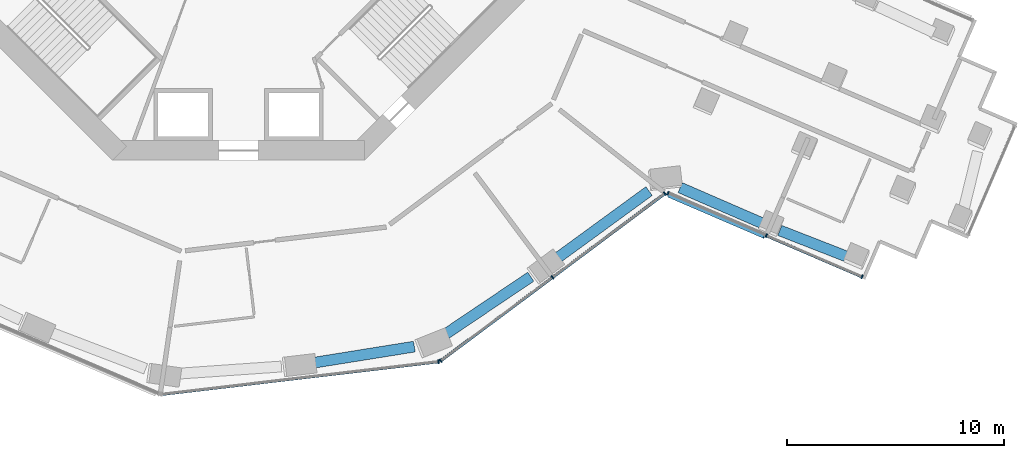
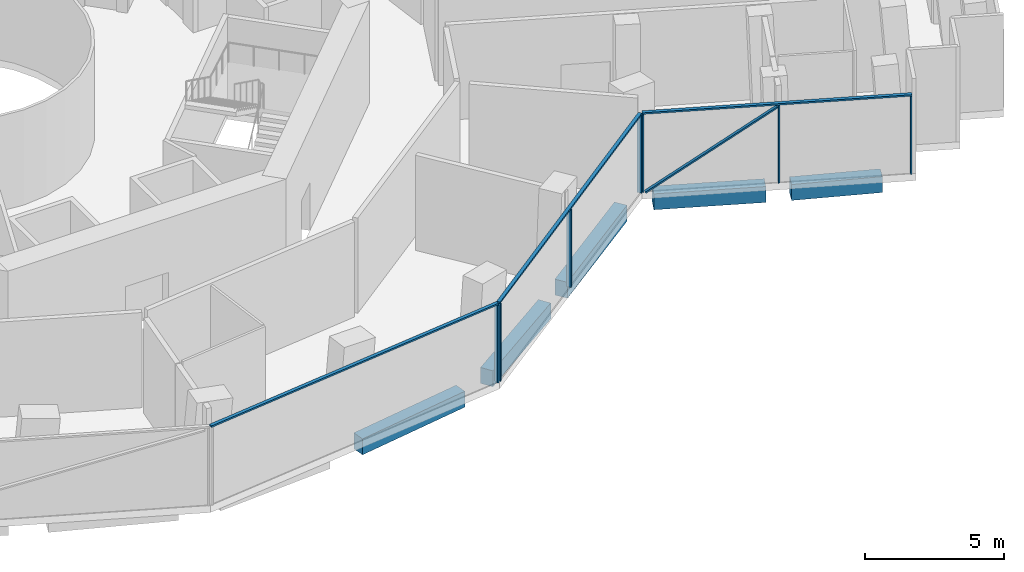
# One storey, part 4 of 17: 11 members, 5 beams, 3 elements without a shape of their own.
"""IFC4 building model written with IfcOpenShell, lengths in metres."""

from ifc_helpers import new_model, si_unit, direction, frame, origin, origin_2d, place, context, subcontext, project, spatial, rectangle, extrude, material, layer, layer_set, material_profile, profile_set, type_object, element, aggregate, save


model = new_model("IFC4")

# Units and contexts
model_context = context("Model", 3, precision=1e-05, world=origin(), true_north=direction((0.0, 1.0)))
body_context = subcontext(model_context, "Body", "Model", "MODEL_VIEW")
ifc_project = project(units=[si_unit("LENGTHUNIT", "METRE"), si_unit("AREAUNIT", "SQUARE_METRE"), si_unit("VOLUMEUNIT", "CUBIC_METRE"), si_unit("PLANEANGLEUNIT", "RADIAN"), si_unit("MASSUNIT", "GRAM", prefix="KILO")], contexts=[model_context])

# Site, building, storey
site_placement = place(None, origin())
site = spatial("IfcSite", under=ifc_project, at=site_placement, CompositionType="ELEMENT")
building_placement = place(site_placement, origin())
building = spatial("IfcBuilding", under=site, at=building_placement, Name="Verdalira Terraces Hotel", CompositionType="ELEMENT")
storey_placement = place(building_placement, frame((0.0, 0.0, 60.0)))
storey = spatial("IfcBuildingStorey", under=building, at=storey_placement, Name="L13", CompositionType="ELEMENT", Elevation=60.0)

# Curtain wall, member
ifc_material_1 = material(Name="Clear glass", Category="glass")
ifc_layer = layer(ifc_material_1, 0.179931640625)
ifc_layer_set = layer_set([ifc_layer], Name="CW4 curtain wall")
curtain_wall_type = type_object("IfcCurtainWallType", Name="CW4 curtain wall", PredefinedType="NOTDEFINED", material=ifc_layer_set)
curtain_wall_1_placement = place(storey_placement, origin())
curtain_wall_1 = element("IfcCurtainWall", 1, at=curtain_wall_1_placement, inside=storey, type_object=curtain_wall_type, Name="CW4 curtain wall L13 edge 26", PredefinedType="NOTDEFINED")
ifc_material_2 = material(Name="Terracotta frame", Category="masonry")
ifc_material_profile_1 = material_profile(ifc_material_2, rectangle(XDim=0.064941, YDim=0.179932, at=origin_2d()), Name="MU 65x180")
ifc_profile_set_1 = profile_set([ifc_material_profile_1], Name="Terracotta frame")
member_type_1 = type_object("IfcMemberType", Name="CW4 mullion 65x180", PredefinedType="MULLION", material=ifc_profile_set_1)
member_1_placement = place(storey_placement, frame((9.214844, -23.280029, 0.0), z_axis=(0.0, 0.0, 1.0), x_axis=(0.993129863, 0.117017412, 0.0)))
member_1 = element("IfcMember", 2, at=member_1_placement, type_object=member_type_1, Name="CW4 mullion", PredefinedType="MULLION", context=body_context, shape_type="SweptSolid", body=[
    extrude(rectangle(XDim=0.064941, YDim=0.179932, at=origin_2d()), origin(), (0.0, 0.0, 1.0), 3.419922),
])

# Curtain wall, members
curtain_wall_2_placement = place(storey_placement, origin())
curtain_wall_2 = element("IfcCurtainWall", 3, at=curtain_wall_2_placement, inside=storey, type_object=curtain_wall_type, Name="CW4 curtain wall L13 edge 27", PredefinedType="NOTDEFINED")
member_2_placement = place(storey_placement, frame((9.316406, -23.239502, 0.0), z_axis=(0.0, 0.0, 1.0), x_axis=(0.801566985, 0.597904983, 0.0)))
member_2 = element("IfcMember", 4, at=member_2_placement, type_object=member_type_1, Name="CW4 mullion", PredefinedType="MULLION", context=body_context, shape_type="SweptSolid", body=[
    extrude(rectangle(XDim=0.064941, YDim=0.179932, at=origin_2d()), origin(), (0.0, 0.0, 1.0), 3.419922),
])
member_3_placement = place(storey_placement, frame((14.468262, -19.396484, 0.0), z_axis=(0.0, 0.0, 1.0), x_axis=(0.801566985, 0.597904983, 0.0)))
member_3 = element("IfcMember", 5, at=member_3_placement, type_object=member_type_1, Name="CW4 mullion", PredefinedType="MULLION", context=body_context, shape_type="SweptSolid", body=[
    extrude(rectangle(XDim=0.064941, YDim=0.179932, at=origin_2d()), origin(), (0.0, 0.0, 1.0), 3.419922),
])
member_4_placement = place(storey_placement, frame((19.638672, -15.540039, 0.0), z_axis=(0.0, 0.0, 1.0), x_axis=(0.801566985, 0.597904983, 0.0)))
member_4 = element("IfcMember", 6, at=member_4_placement, type_object=member_type_1, Name="CW4 mullion", PredefinedType="MULLION", context=body_context, shape_type="SweptSolid", body=[
    extrude(rectangle(XDim=0.064941, YDim=0.179932, at=origin_2d()), origin(), (0.0, 0.0, 1.0), 3.419922),
])

curtain_wall_3_placement = place(storey_placement, origin())
curtain_wall_3 = element("IfcCurtainWall", 7, at=curtain_wall_3_placement, inside=storey, type_object=curtain_wall_type, Name="CW4 curtain wall L13 edge 28", PredefinedType="NOTDEFINED")
member_5_placement = place(storey_placement, frame((19.783936, -15.522949, 0.0), z_axis=(0.0, 0.0, 1.0), x_axis=(0.918584397, -0.39522488, 0.0)))
member_5 = element("IfcMember", 8, at=member_5_placement, type_object=member_type_1, Name="CW4 mullion", PredefinedType="MULLION", context=body_context, shape_type="SweptSolid", body=[
    extrude(rectangle(XDim=0.064941, YDim=0.179932, at=origin_2d()), origin(), (0.0, 0.0, 1.0), 3.419922),
])
member_6_placement = place(storey_placement, frame((24.31543, -17.472656, 0.0), z_axis=(0.0, 0.0, 1.0), x_axis=(0.918584397, -0.39522488, 0.0)))
member_6 = element("IfcMember", 9, at=member_6_placement, type_object=member_type_1, Name="CW4 mullion", PredefinedType="MULLION", context=body_context, shape_type="SweptSolid", body=[
    extrude(rectangle(XDim=0.064941, YDim=0.179932, at=origin_2d()), origin(), (0.0, 0.0, 1.0), 3.419922),
])
member_7_placement = place(storey_placement, frame((28.725098, -19.369873, 0.0), z_axis=(0.0, 0.0, 1.0), x_axis=(0.918584397, -0.39522488, 0.0)))
member_7 = element("IfcMember", 10, at=member_7_placement, type_object=member_type_1, Name="CW4 mullion", PredefinedType="MULLION", context=body_context, shape_type="SweptSolid", body=[
    extrude(rectangle(XDim=0.064941, YDim=0.179932, at=origin_2d()), origin(), (0.0, 0.0, 1.0), 3.419922),
])

# Member
ifc_material_3 = material(Name="Terracotta frame", Category="masonry")
ifc_material_profile_2 = material_profile(ifc_material_3, rectangle(XDim=0.139893, YDim=0.070068, at=origin_2d()), Name="TR 70x140")
ifc_profile_set_2 = profile_set([ifc_material_profile_2], Name="Terracotta frame")
member_type_2 = type_object("IfcMemberType", Name="CW4 transom 70x140", PredefinedType="USERDEFINED", material=ifc_profile_set_2)
member_8_placement = place(storey_placement, frame((-3.58374, -24.788086, 3.455078), z_axis=(0.993128529, 0.117028731, 0.0), x_axis=(-0.117028731, 0.993128529, 0.0)))
member_8 = element("IfcMember", 11, at=member_8_placement, type_object=member_type_2, Name="CW4 transom", ObjectType="TRANSOM", PredefinedType="USERDEFINED", context=body_context, shape_type="SweptSolid", body=[
    extrude(rectangle(XDim=0.139893, YDim=0.070068, at=origin_2d()), origin(), (0.0, 0.0, 1.0), 12.919678),
])

aggregate(curtain_wall_1, [member_1, member_8])

member_9_placement = place(storey_placement, frame((9.290283, -23.259033, 3.455078), z_axis=(0.801561433, 0.597912426, 0.0), x_axis=(-0.597912426, 0.801561433, 0.0)))
member_9 = element("IfcMember", 12, at=member_9_placement, type_object=member_type_2, Name="CW4 transom", ObjectType="TRANSOM", PredefinedType="USERDEFINED", context=body_context, shape_type="SweptSolid", body=[
    extrude(rectangle(XDim=0.139893, YDim=0.070068, at=origin_2d()), origin(), (0.0, 0.0, 1.0), 12.942627),
])

aggregate(curtain_wall_2, [member_2, member_3, member_4, member_9])

member_10_placement = place(storey_placement, frame((19.753906, -15.51001, 3.455078), z_axis=(0.918584809, -0.395223923, 0.0), x_axis=(0.395223923, 0.918584809, 0.0)))
member_10 = element("IfcMember", 13, at=member_10_placement, type_object=member_type_2, Name="CW4 transom", ObjectType="TRANSOM", PredefinedType="USERDEFINED", context=body_context, shape_type="SweptSolid", body=[
    extrude(rectangle(XDim=0.139893, YDim=0.070068, at=origin_2d()), origin(), (0.0, 0.0, 1.0), 9.799072),
])

ifc_material_4 = material(Name="Terracotta frame", Category="masonry")
ifc_material_profile_3 = material_profile(ifc_material_4, rectangle(XDim=0.149902, YDim=0.060059, at=origin_2d()), Name="GB 60x150")
ifc_profile_set_3 = profile_set([ifc_material_profile_3], Name="Terracotta frame")
member_type_3 = type_object("IfcMemberType", Name="Diagonal glazing bar 60x150", PredefinedType="USERDEFINED", material=ifc_profile_set_3)
member_11_placement = place(storey_placement, frame((19.810547, -15.635498, 0.025635), z_axis=(0.751643827, -0.32341265, 0.574835468), x_axis=(0.395240004, 0.918577889, 0.0)))
member_11 = element("IfcMember", 14, at=member_11_placement, type_object=member_type_3, Name="Diagonal glazing bar", ObjectType="GLAZING BAR", PredefinedType="USERDEFINED", context=body_context, shape_type="SweptSolid", body=[
    extrude(rectangle(XDim=0.149902, YDim=0.060059, at=origin_2d()), origin(), (0.0, 0.0, 1.0), 5.860107),
])

aggregate(curtain_wall_3, [member_5, member_6, member_7, member_10, member_11])

# Beams
ifc_material_5 = material(Name="Concrete C70", Category="concrete")
ifc_material_profile_4 = material_profile(ifc_material_5, rectangle(XDim=0.5, YDim=0.699951, at=origin_2d()), Name="RC 500X700")
ifc_profile_set_4 = profile_set([ifc_material_profile_4], Name="Concrete C70")
beam_type = type_object("IfcBeamType", Name="Spandrel beam RC 500X700 C70", PredefinedType="SPANDREL", material=ifc_profile_set_4)
beam_1_placement = place(storey_placement, frame((3.404297, -23.3396, -0.659912), z_axis=(0.9874028, 0.158226768, 0.0), x_axis=(-0.158226768, 0.9874028, 0.0)))
element("IfcBeam", 15, at=beam_1_placement, inside=storey, type_object=beam_type, Name="Spandrel beam B22", PredefinedType="SPANDREL", context=body_context, shape_type="SweptSolid", body=[
    extrude(rectangle(XDim=0.5, YDim=0.699951, at=origin_2d()), origin(), (0.0, 0.0, 1.0), 4.755371),
])
beam_2_placement = place(storey_placement, frame((9.51709, -22.025879, -0.659912), z_axis=(0.829293305, 0.558813578, 0.0), x_axis=(-0.558813578, 0.829293305, 0.0)))
element("IfcBeam", 16, at=beam_2_placement, inside=storey, type_object=beam_type, Name="Spandrel beam B23", PredefinedType="SPANDREL", context=body_context, shape_type="SweptSolid", body=[
    extrude(rectangle(XDim=0.5, YDim=0.699951, at=origin_2d()), origin(), (0.0, 0.0, 1.0), 4.758545),
])
beam_3_placement = place(storey_placement, frame((14.623047, -18.553467, -0.659912), z_axis=(0.807801002, 0.589455291, 0.0), x_axis=(-0.589455291, 0.807801002, 0.0)))
element("IfcBeam", 17, at=beam_3_placement, inside=storey, type_object=beam_type, Name="Spandrel beam B24", PredefinedType="SPANDREL", context=body_context, shape_type="SweptSolid", body=[
    extrude(rectangle(XDim=0.5, YDim=0.699951, at=origin_2d()), origin(), (0.0, 0.0, 1.0), 5.312256),
])
beam_4_placement = place(storey_placement, frame((20.347656, -15.262695, -0.659912), z_axis=(0.917314851, -0.39816261, 0.0), x_axis=(0.39816261, 0.917314851, 0.0)))
element("IfcBeam", 18, at=beam_4_placement, inside=storey, type_object=beam_type, Name="Spandrel beam B25", PredefinedType="SPANDREL", context=body_context, shape_type="SweptSolid", body=[
    extrude(rectangle(XDim=0.5, YDim=0.699951, at=origin_2d()), origin(), (0.0, 0.0, 1.0), 4.072021),
])
beam_5_placement = place(storey_placement, frame((24.938477, -17.236084, -0.659912), z_axis=(0.931617155, -0.363441159, 0.0), x_axis=(0.363441159, 0.931617155, 0.0)))
element("IfcBeam", 19, at=beam_5_placement, inside=storey, type_object=beam_type, Name="Spandrel beam B26", PredefinedType="SPANDREL", context=body_context, shape_type="SweptSolid", body=[
    extrude(rectangle(XDim=0.5, YDim=0.699951, at=origin_2d()), origin(), (0.0, 0.0, 1.0), 3.315186),
])

save(model, "model.ifc")
